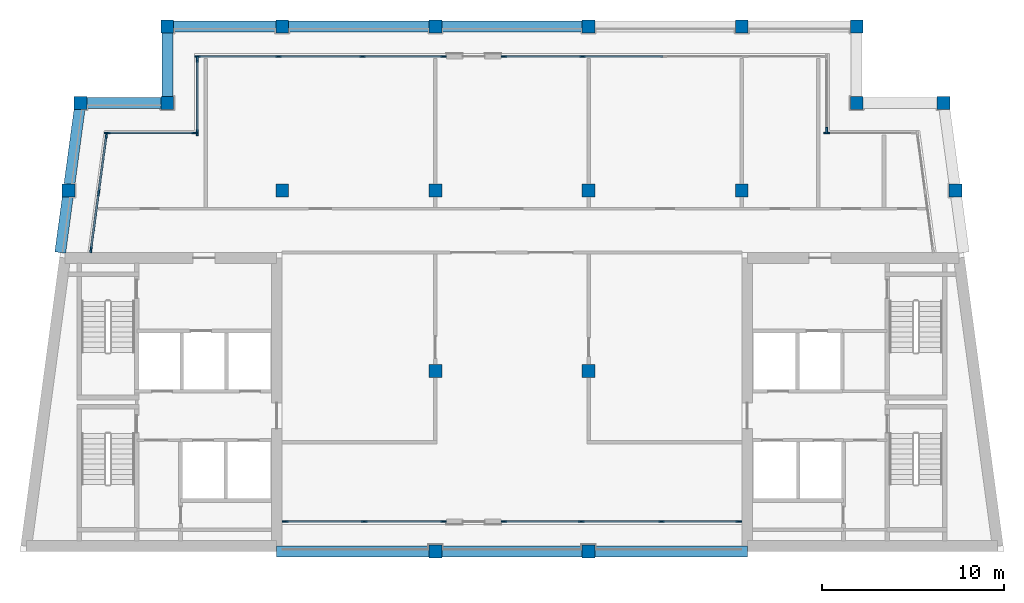
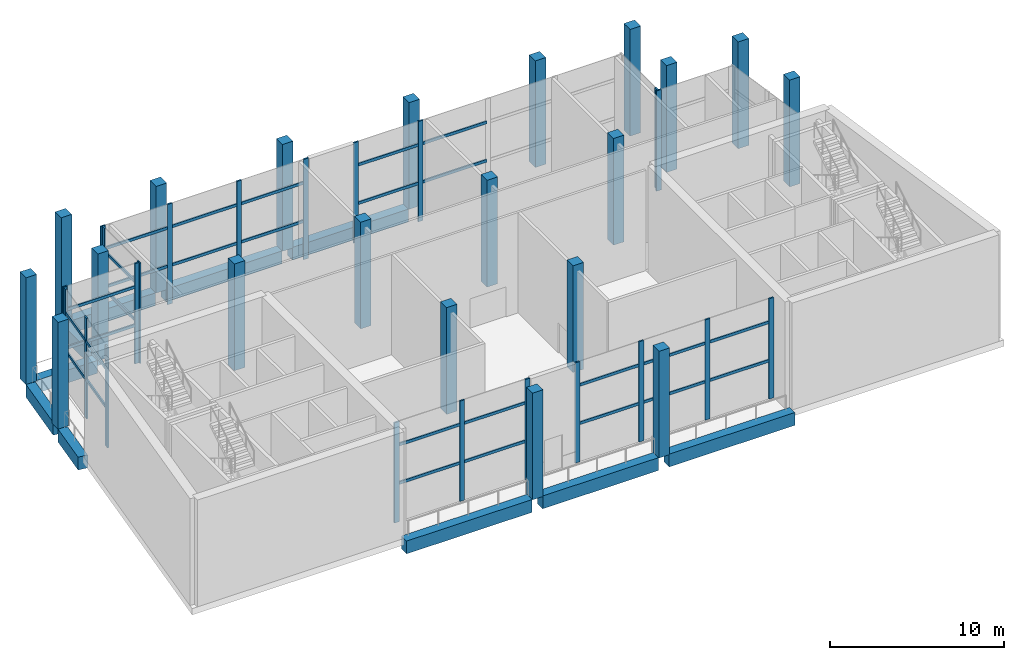
# One storey, part 1 of 9: 50 members, 20 columns, 10 beams, 9 elements without a shape of their own.
"""IFC4 building model written with IfcOpenShell, lengths in metres."""

from ifc_helpers import new_model, si_unit, direction, frame, origin, origin_2d, place, context, subcontext, project, spatial, rectangle, extrude, material, material_profile, profile_set, type_object, element, aggregate, save


model = new_model("IFC4")

# Units and contexts
model_context = context("Model", 3, precision=1e-05, world=origin(), true_north=direction((0.0, 1.0)))
body_context = subcontext(model_context, "Body", "Model", "MODEL_VIEW")
ifc_project = project(units=[si_unit("LENGTHUNIT", "METRE"), si_unit("AREAUNIT", "SQUARE_METRE"), si_unit("VOLUMEUNIT", "CUBIC_METRE"), si_unit("PLANEANGLEUNIT", "RADIAN"), si_unit("MASSUNIT", "GRAM", prefix="KILO")], contexts=[model_context])

# Site, building, storey
site_placement = place(None, origin())
site = spatial("IfcSite", under=ifc_project, at=site_placement, CompositionType="ELEMENT")
building_placement = place(site_placement, origin())
building = spatial("IfcBuilding", under=site, at=building_placement, Name="Candeia Pilgrim Tower and Theatre", CompositionType="ELEMENT")
storey_placement = place(building_placement, frame((0.0, 0.0, 307.89990234375)))
storey = spatial("IfcBuildingStorey", under=building, at=storey_placement, Name="L75", CompositionType="ELEMENT", Elevation=307.89990234375)

# Columns
ifc_material_1 = material(Name="Concrete C40/50", Category="concrete")
ifc_material_profile_1 = material_profile(ifc_material_1, rectangle(XDim=0.699951171875, YDim=0.699951171875, at=origin_2d()))
ifc_profile_set_1 = profile_set([ifc_material_profile_1], Name="Concrete C40/50")
column_type = type_object("IfcColumnType", Name="RC 700x700 C40/50", PredefinedType="COLUMN", material=ifc_profile_set_1)
for number, where, z_axis, x_axis, name in (
    (1, (94.5, 140.60009765625, 0.0), (0.0, 0.0, 1.0), (1.0, 0.0, 0.0), "Column NNW"),
    (2, (132.300048828125, 140.60009765625, 0.0), (0.0, 0.0, 1.0), (1.0, 0.0, 0.0), "Column NNE"),
    (3, (89.734619140625, 140.60009765625, 0.0), (0.0, 0.0, 1.0), (1.0, 0.0, 0.0), "Column LNW"),
    (4, (137.0654296875, 140.60009765625, 0.0), (0.0, 0.0, 1.0), (1.0, 0.0, 0.0), "Column LNE"),
    (5, (109.199951171875, 116.0, 0.0), (0.0, 0.0, 1.0), (1.0, 0.0, 0.0), "Column C3"),
    (6, (117.60009765625, 116.0, 0.0), (0.0, 0.0, 1.0), (1.0, 0.0, 0.0), "Column C4"),
    (7, (109.199951171875, 125.89990234375, 0.0), (0.0, 0.0, 1.0), (1.0, 0.0, 0.0), "Column D3"),
    (8, (117.60009765625, 125.89990234375, 0.0), (0.0, 0.0, 1.0), (1.0, 0.0, 0.0), "Column D4"),
    (9, (100.800048828125, 135.800048828125, 0.0), (0.0, 0.0, 1.0), (1.0, 0.0, 0.0), "Column E2"),
    (10, (109.199951171875, 135.800048828125, 0.0), (0.0, 0.0, 1.0), (1.0, 0.0, 0.0), "Column E3"),
    (11, (117.60009765625, 135.800048828125, 0.0), (0.0, 0.0, 1.0), (1.0, 0.0, 0.0), "Column E4"),
    (12, (126.0, 135.800048828125, 0.0), (0.0, 0.0, 1.0), (1.0, 0.0, 0.0), "Column E5"),
    (13, (89.08837890625, 135.800048828125, 0.0), (0.0, 0.0, 1.0), (1.0, 0.0, 0.0), "Column EW"),
    (14, (137.71142578125, 135.800048828125, 0.0), (0.0, 0.0, 1.0), (1.0, 0.0, 0.0), "Column EE"),
    (15, (100.800048828125, 144.800048828125, 0.0), (0.0, 0.0, 1.0), (1.0, 0.0, 0.0), "Column F2"),
    (16, (109.199951171875, 144.800048828125, 0.0), (0.0, 0.0, 1.0), (1.0, 0.0, 0.0), "Column F3"),
    (17, (117.60009765625, 144.800048828125, 0.0), (0.0, 0.0, 1.0), (1.0, 0.0, 0.0), "Column F4"),
    (18, (126.0, 144.800048828125, 0.0), (0.0, 0.0, 1.0), (1.0, 0.0, 0.0), "Column F5"),
    (19, (94.5, 144.800048828125, 0.0), (0.0, 0.0, 1.0), (1.0, 0.0, 0.0), "Column FW"),
    (20, (132.300048828125, 144.800048828125, 0.0), (0.0, 0.0, 1.0), (1.0, 0.0, 0.0), "Column FE"),
):
    element("IfcColumn", number, at=place(storey_placement, frame(where, z_axis=z_axis, x_axis=x_axis)), inside=storey, type_object=column_type, Name=name, PredefinedType="COLUMN", context=body_context, shape_type="SweptSolid", body=[
        extrude(rectangle(XDim=0.699951171875, YDim=0.699951171875, at=origin_2d()), origin(), (0.0, 0.0, 1.0), 7.5),
    ])

# Curtain wall, members
ifc_material_2 = material(Name="Aluminium framed observation glazing", Category="aluminium")
curtain_wall_type = type_object("IfcCurtainWallType", Name="CW-C curtain wall", PredefinedType="NOTDEFINED", material=ifc_material_2)
curtain_wall_1_placement = place(storey_placement, origin())
curtain_wall_1 = element("IfcCurtainWall", 21, at=curtain_wall_1_placement, inside=storey, type_object=curtain_wall_type, Name="Curtain wall CW-C L75.000", PredefinedType="NOTDEFINED")
ifc_material_3 = material(Name="Anodised aluminium", Category="aluminium")
ifc_material_profile_2 = material_profile(ifc_material_3, rectangle(XDim=0.10009765625, YDim=0.320068359375, at=origin_2d()))
ifc_profile_set_2 = profile_set([ifc_material_profile_2], Name="Anodised aluminium")
member_type_1 = type_object("IfcMemberType", Name="CW-C mullion 100x320", PredefinedType="MULLION", material=ifc_profile_set_2)
member_1_placement = place(storey_placement, frame((91.156005859375, 138.79150390625, 0.0), z_axis=(0.0, 0.0, 1.0), x_axis=(0.991060661622, -0.133412012145, 0.0)))
member_1 = element("IfcMember", 22, at=member_1_placement, type_object=member_type_1, Name="CW-C mullion 1", PredefinedType="MULLION", context=body_context, shape_type="SweptSolid", body=[
    extrude(rectangle(XDim=0.10009765625, YDim=0.320068359375, at=origin_2d()), origin(), (0.0, 0.0, 1.0), 7.050048828125),
])
member_2_placement = place(storey_placement, frame((90.736572265625, 135.675048828125, 0.0), z_axis=(0.0, 0.0, 1.0), x_axis=(0.991060661622, -0.133412012145, 0.0)))
member_2 = element("IfcMember", 23, at=member_2_placement, type_object=member_type_1, Name="CW-C mullion 2", PredefinedType="MULLION", context=body_context, shape_type="SweptSolid", body=[
    extrude(rectangle(XDim=0.10009765625, YDim=0.320068359375, at=origin_2d()), origin(), (0.0, 0.0, 1.0), 7.050048828125),
])
member_3_placement = place(storey_placement, frame((90.31689453125, 132.55859375, 0.0), z_axis=(0.0, 0.0, 1.0), x_axis=(0.991060661622, -0.133412012145, 0.0)))
member_3 = element("IfcMember", 24, at=member_3_placement, type_object=member_type_1, Name="CW-C mullion 3", PredefinedType="MULLION", context=body_context, shape_type="SweptSolid", body=[
    extrude(rectangle(XDim=0.10009765625, YDim=0.320068359375, at=origin_2d()), origin(), (0.0, 0.0, 1.0), 7.050048828125),
])

curtain_wall_2_placement = place(storey_placement, origin())
curtain_wall_2 = element("IfcCurtainWall", 25, at=curtain_wall_2_placement, inside=storey, type_object=curtain_wall_type, Name="Curtain wall CW-C L75.100", PredefinedType="NOTDEFINED")
member_4_placement = place(storey_placement, frame((100.9599609375, 117.64990234375, 0.0), z_axis=(0.0, 0.0, 1.0), x_axis=(0.0, 1.0, 0.0)))
member_4 = element("IfcMember", 26, at=member_4_placement, type_object=member_type_1, Name="CW-C mullion 1", PredefinedType="MULLION", context=body_context, shape_type="SweptSolid", body=[
    extrude(rectangle(XDim=0.10009765625, YDim=0.320068359375, at=origin_2d()), origin(), (0.0, 0.0, 1.0), 7.050048828125),
])
member_5_placement = place(storey_placement, frame((105.300048828125, 117.64990234375, 0.0), z_axis=(0.0, 0.0, 1.0), x_axis=(0.0, 1.0, 0.0)))
member_5 = element("IfcMember", 27, at=member_5_placement, type_object=member_type_1, Name="CW-C mullion 2", PredefinedType="MULLION", context=body_context, shape_type="SweptSolid", body=[
    extrude(rectangle(XDim=0.10009765625, YDim=0.320068359375, at=origin_2d()), origin(), (0.0, 0.0, 1.0), 7.050048828125),
])
member_6_placement = place(storey_placement, frame((109.639892578125, 117.64990234375, 0.0), z_axis=(0.0, 0.0, 1.0), x_axis=(0.0, 1.0, 0.0)))
member_6 = element("IfcMember", 28, at=member_6_placement, type_object=member_type_1, Name="CW-C mullion 3", PredefinedType="MULLION", context=body_context, shape_type="SweptSolid", body=[
    extrude(rectangle(XDim=0.10009765625, YDim=0.320068359375, at=origin_2d()), origin(), (0.0, 0.0, 1.0), 7.050048828125),
])

curtain_wall_3_placement = place(storey_placement, origin())
curtain_wall_3 = element("IfcCurtainWall", 29, at=curtain_wall_3_placement, inside=storey, type_object=curtain_wall_type, Name="Curtain wall CW-C L75.102", PredefinedType="NOTDEFINED")
member_7_placement = place(storey_placement, frame((112.9599609375, 117.64990234375, 0.0), z_axis=(0.0, 0.0, 1.0), x_axis=(0.0, 1.0, 0.0)))
member_7 = element("IfcMember", 30, at=member_7_placement, type_object=member_type_1, Name="CW-C mullion 1", PredefinedType="MULLION", context=body_context, shape_type="SweptSolid", body=[
    extrude(rectangle(XDim=0.10009765625, YDim=0.320068359375, at=origin_2d()), origin(), (0.0, 0.0, 1.0), 7.050048828125),
])
member_8_placement = place(storey_placement, frame((117.199951171875, 117.64990234375, 0.0), z_axis=(0.0, 0.0, 1.0), x_axis=(0.0, 1.0, 0.0)))
member_8 = element("IfcMember", 31, at=member_8_placement, type_object=member_type_1, Name="CW-C mullion 2", PredefinedType="MULLION", context=body_context, shape_type="SweptSolid", body=[
    extrude(rectangle(XDim=0.10009765625, YDim=0.320068359375, at=origin_2d()), origin(), (0.0, 0.0, 1.0), 7.050048828125),
])
member_9_placement = place(storey_placement, frame((121.60009765625, 117.64990234375, 0.0), z_axis=(0.0, 0.0, 1.0), x_axis=(0.0, 1.0, 0.0)))
member_9 = element("IfcMember", 32, at=member_9_placement, type_object=member_type_1, Name="CW-C mullion 3", PredefinedType="MULLION", context=body_context, shape_type="SweptSolid", body=[
    extrude(rectangle(XDim=0.10009765625, YDim=0.320068359375, at=origin_2d()), origin(), (0.0, 0.0, 1.0), 7.050048828125),
])
member_10_placement = place(storey_placement, frame((125.840087890625, 117.64990234375, 0.0), z_axis=(0.0, 0.0, 1.0), x_axis=(0.0, 1.0, 0.0)))
member_10 = element("IfcMember", 33, at=member_10_placement, type_object=member_type_1, Name="CW-C mullion 4", PredefinedType="MULLION", context=body_context, shape_type="SweptSolid", body=[
    extrude(rectangle(XDim=0.10009765625, YDim=0.320068359375, at=origin_2d()), origin(), (0.0, 0.0, 1.0), 7.050048828125),
])

# Curtain wall, member
curtain_wall_4_placement = place(storey_placement, origin())
curtain_wall_4 = element("IfcCurtainWall", 34, at=curtain_wall_4_placement, inside=storey, type_object=curtain_wall_type, Name="Curtain wall CW-C L75.300", PredefinedType="NOTDEFINED")
member_11_placement = place(storey_placement, frame((130.659912109375, 138.949951171875, 0.0), z_axis=(0.0, 0.0, 1.0), x_axis=(0.0, -1.0, 0.0)))
member_11 = element("IfcMember", 35, at=member_11_placement, type_object=member_type_1, Name="CW-C mullion 2", PredefinedType="MULLION", context=body_context, shape_type="SweptSolid", body=[
    extrude(rectangle(XDim=0.10009765625, YDim=0.320068359375, at=origin_2d()), origin(), (0.0, 0.0, 1.0), 7.050048828125),
])
aggregate(curtain_wall_4, [member_11])

curtain_wall_5_placement = place(storey_placement, origin())
curtain_wall_5 = element("IfcCurtainWall", 36, at=curtain_wall_5_placement, inside=storey, type_object=curtain_wall_type, Name="Curtain wall CW-C L75.400", PredefinedType="NOTDEFINED")
member_12_placement = place(storey_placement, frame((130.64990234375, 139.110107421875, 0.0), z_axis=(0.0, 0.0, 1.0), x_axis=(-1.0, 0.0, 0.0)))
member_12 = element("IfcMember", 37, at=member_12_placement, type_object=member_type_1, Name="CW-C mullion 1", PredefinedType="MULLION", context=body_context, shape_type="SweptSolid", body=[
    extrude(rectangle(XDim=0.10009765625, YDim=0.320068359375, at=origin_2d()), origin(), (0.0, 0.0, 1.0), 7.050048828125),
])
aggregate(curtain_wall_5, [member_12])

# Curtain wall, members
curtain_wall_6_placement = place(storey_placement, origin())
curtain_wall_6 = element("IfcCurtainWall", 38, at=curtain_wall_6_placement, inside=storey, type_object=curtain_wall_type, Name="Curtain wall CW-C L75.500", PredefinedType="NOTDEFINED")
member_13_placement = place(storey_placement, frame((117.262451171875, 143.14990234375, 0.0), z_axis=(0.0, 0.0, 1.0), x_axis=(0.0, -1.0, 0.0)))
member_13 = element("IfcMember", 39, at=member_13_placement, type_object=member_type_1, Name="CW-C mullion 4", PredefinedType="MULLION", context=body_context, shape_type="SweptSolid", body=[
    extrude(rectangle(XDim=0.10009765625, YDim=0.320068359375, at=origin_2d()), origin(), (0.0, 0.0, 1.0), 7.050048828125),
])
member_14_placement = place(storey_placement, frame((112.9599609375, 143.14990234375, 0.0), z_axis=(0.0, 0.0, 1.0), x_axis=(0.0, -1.0, 0.0)))
member_14 = element("IfcMember", 40, at=member_14_placement, type_object=member_type_1, Name="CW-C mullion 5", PredefinedType="MULLION", context=body_context, shape_type="SweptSolid", body=[
    extrude(rectangle(XDim=0.10009765625, YDim=0.320068359375, at=origin_2d()), origin(), (0.0, 0.0, 1.0), 7.050048828125),
])

curtain_wall_7_placement = place(storey_placement, origin())
curtain_wall_7 = element("IfcCurtainWall", 41, at=curtain_wall_7_placement, inside=storey, type_object=curtain_wall_type, Name="Curtain wall CW-C L75.502", PredefinedType="NOTDEFINED")
member_15_placement = place(storey_placement, frame((109.639892578125, 143.14990234375, 0.0), z_axis=(0.0, 0.0, 1.0), x_axis=(0.0, -1.0, 0.0)))
member_15 = element("IfcMember", 42, at=member_15_placement, type_object=member_type_1, Name="CW-C mullion 1", PredefinedType="MULLION", context=body_context, shape_type="SweptSolid", body=[
    extrude(rectangle(XDim=0.10009765625, YDim=0.320068359375, at=origin_2d()), origin(), (0.0, 0.0, 1.0), 7.050048828125),
])
member_16_placement = place(storey_placement, frame((105.199951171875, 143.14990234375, 0.0), z_axis=(0.0, 0.0, 1.0), x_axis=(0.0, -1.0, 0.0)))
member_16 = element("IfcMember", 43, at=member_16_placement, type_object=member_type_1, Name="CW-C mullion 2", PredefinedType="MULLION", context=body_context, shape_type="SweptSolid", body=[
    extrude(rectangle(XDim=0.10009765625, YDim=0.320068359375, at=origin_2d()), origin(), (0.0, 0.0, 1.0), 7.050048828125),
])
member_17_placement = place(storey_placement, frame((100.60009765625, 143.14990234375, 0.0), z_axis=(0.0, 0.0, 1.0), x_axis=(0.0, -1.0, 0.0)))
member_17 = element("IfcMember", 44, at=member_17_placement, type_object=member_type_1, Name="CW-C mullion 3", PredefinedType="MULLION", context=body_context, shape_type="SweptSolid", body=[
    extrude(rectangle(XDim=0.10009765625, YDim=0.320068359375, at=origin_2d()), origin(), (0.0, 0.0, 1.0), 7.050048828125),
])
member_18_placement = place(storey_placement, frame((96.159912109375, 143.14990234375, 0.0), z_axis=(0.0, 0.0, 1.0), x_axis=(0.0, -1.0, 0.0)))
member_18 = element("IfcMember", 45, at=member_18_placement, type_object=member_type_1, Name="CW-C mullion 4", PredefinedType="MULLION", context=body_context, shape_type="SweptSolid", body=[
    extrude(rectangle(XDim=0.10009765625, YDim=0.320068359375, at=origin_2d()), origin(), (0.0, 0.0, 1.0), 7.050048828125),
])

curtain_wall_8_placement = place(storey_placement, origin())
curtain_wall_8 = element("IfcCurtainWall", 46, at=curtain_wall_8_placement, inside=storey, type_object=curtain_wall_type, Name="Curtain wall CW-C L75.600", PredefinedType="NOTDEFINED")
member_19_placement = place(storey_placement, frame((96.14990234375, 142.989990234375, 0.0), z_axis=(0.0, 0.0, 1.0), x_axis=(1.0, 0.0, 0.0)))
member_19 = element("IfcMember", 47, at=member_19_placement, type_object=member_type_1, Name="CW-C mullion 1", PredefinedType="MULLION", context=body_context, shape_type="SweptSolid", body=[
    extrude(rectangle(XDim=0.10009765625, YDim=0.320068359375, at=origin_2d()), origin(), (0.0, 0.0, 1.0), 7.050048828125),
])
member_20_placement = place(storey_placement, frame((96.14990234375, 138.9599609375, 0.0), z_axis=(0.0, 0.0, 1.0), x_axis=(1.0, 0.0, 0.0)))
member_20 = element("IfcMember", 48, at=member_20_placement, type_object=member_type_1, Name="CW-C mullion 2", PredefinedType="MULLION", context=body_context, shape_type="SweptSolid", body=[
    extrude(rectangle(XDim=0.10009765625, YDim=0.320068359375, at=origin_2d()), origin(), (0.0, 0.0, 1.0), 7.050048828125),
])

curtain_wall_9_placement = place(storey_placement, origin())
curtain_wall_9 = element("IfcCurtainWall", 49, at=curtain_wall_9_placement, inside=storey, type_object=curtain_wall_type, Name="Curtain wall CW-C L75.700", PredefinedType="NOTDEFINED")
member_21_placement = place(storey_placement, frame((95.989990234375, 138.949951171875, 0.0), z_axis=(0.0, 0.0, 1.0), x_axis=(0.0, -1.0, 0.0)))
member_21 = element("IfcMember", 50, at=member_21_placement, type_object=member_type_1, Name="CW-C mullion 1", PredefinedType="MULLION", context=body_context, shape_type="SweptSolid", body=[
    extrude(rectangle(XDim=0.10009765625, YDim=0.320068359375, at=origin_2d()), origin(), (0.0, 0.0, 1.0), 7.050048828125),
])
member_22_placement = place(storey_placement, frame((91.206298828125, 138.949951171875, 0.0), z_axis=(0.0, 0.0, 1.0), x_axis=(0.0, -1.0, 0.0)))
member_22 = element("IfcMember", 51, at=member_22_placement, type_object=member_type_1, Name="CW-C mullion 2", PredefinedType="MULLION", context=body_context, shape_type="SweptSolid", body=[
    extrude(rectangle(XDim=0.10009765625, YDim=0.320068359375, at=origin_2d()), origin(), (0.0, 0.0, 1.0), 7.050048828125),
])

# Member
ifc_material_profile_3 = material_profile(ifc_material_3, rectangle(XDim=0.10009765625, YDim=0.199951171875, at=origin_2d()))
ifc_profile_set_3 = profile_set([ifc_material_profile_3], Name="Anodised aluminium")
member_type_2 = type_object("IfcMemberType", Name="CW-C transom 100x200", PredefinedType="USERDEFINED", material=ifc_profile_set_3)
member_23_placement = place(storey_placement, frame((91.1494140625, 138.741943359375, 2.7001953125), z_axis=(-0.133434731878, -0.991057602932, 0.0), x_axis=(0.991057602932, -0.133434731878, 0.0)))
member_23 = element("IfcMember", 52, at=member_23_placement, type_object=member_type_2, Name="CW-C transom 1.1", ObjectType="TRANSOM", PredefinedType="USERDEFINED", context=body_context, shape_type="SweptSolid", body=[
    extrude(rectangle(XDim=0.10009765625, YDim=0.199951171875, at=origin_2d()), origin(), (0.0, 0.0, 1.0), 3.044677734375),
])

member_24_placement = place(storey_placement, frame((91.1494140625, 138.741943359375, 5.400146484375), z_axis=(-0.133434731878, -0.991057602932, 0.0), x_axis=(0.991057602932, -0.133434731878, 0.0)))
member_24 = element("IfcMember", 53, at=member_24_placement, type_object=member_type_2, Name="CW-C transom 1.2", ObjectType="TRANSOM", PredefinedType="USERDEFINED", context=body_context, shape_type="SweptSolid", body=[
    extrude(rectangle(XDim=0.10009765625, YDim=0.199951171875, at=origin_2d()), origin(), (0.0, 0.0, 1.0), 3.044677734375),
])

member_25_placement = place(storey_placement, frame((90.729736328125, 135.62548828125, 2.7001953125), z_axis=(-0.133355969226, -0.991068204248, 0.0), x_axis=(0.991068204248, -0.133355969226, 0.0)))
member_25 = element("IfcMember", 54, at=member_25_placement, type_object=member_type_2, Name="CW-C transom 2.1", ObjectType="TRANSOM", PredefinedType="USERDEFINED", context=body_context, shape_type="SweptSolid", body=[
    extrude(rectangle(XDim=0.10009765625, YDim=0.199951171875, at=origin_2d()), origin(), (0.0, 0.0, 1.0), 3.04443359375),
])

member_26_placement = place(storey_placement, frame((90.729736328125, 135.62548828125, 5.400146484375), z_axis=(-0.133355969226, -0.991068204248, 0.0), x_axis=(0.991068204248, -0.133355969226, 0.0)))
member_26 = element("IfcMember", 55, at=member_26_placement, type_object=member_type_2, Name="CW-C transom 2.2", ObjectType="TRANSOM", PredefinedType="USERDEFINED", context=body_context, shape_type="SweptSolid", body=[
    extrude(rectangle(XDim=0.10009765625, YDim=0.199951171875, at=origin_2d()), origin(), (0.0, 0.0, 1.0), 3.04443359375),
])

aggregate(curtain_wall_1, [member_1, member_2, member_3, member_23, member_24, member_25, member_26])

member_27_placement = place(storey_placement, frame((101.010009765625, 117.64990234375, 2.7001953125), z_axis=(1.0, 0.0, 0.0), x_axis=(0.0, 1.0, 0.0)))
member_27 = element("IfcMember", 56, at=member_27_placement, type_object=member_type_2, Name="CW-C transom 1.1", ObjectType="TRANSOM", PredefinedType="USERDEFINED", context=body_context, shape_type="SweptSolid", body=[
    extrude(rectangle(XDim=0.10009765625, YDim=0.199951171875, at=origin_2d()), origin(), (0.0, 0.0, 1.0), 4.239990234375),
])

member_28_placement = place(storey_placement, frame((101.010009765625, 117.64990234375, 5.400146484375), z_axis=(1.0, 0.0, 0.0), x_axis=(0.0, 1.0, 0.0)))
member_28 = element("IfcMember", 57, at=member_28_placement, type_object=member_type_2, Name="CW-C transom 1.2", ObjectType="TRANSOM", PredefinedType="USERDEFINED", context=body_context, shape_type="SweptSolid", body=[
    extrude(rectangle(XDim=0.10009765625, YDim=0.199951171875, at=origin_2d()), origin(), (0.0, 0.0, 1.0), 4.239990234375),
])

member_29_placement = place(storey_placement, frame((105.35009765625, 117.64990234375, 2.7001953125), z_axis=(1.0, 0.0, 0.0), x_axis=(0.0, 1.0, 0.0)))
member_29 = element("IfcMember", 58, at=member_29_placement, type_object=member_type_2, Name="CW-C transom 2.1", ObjectType="TRANSOM", PredefinedType="USERDEFINED", context=body_context, shape_type="SweptSolid", body=[
    extrude(rectangle(XDim=0.10009765625, YDim=0.199951171875, at=origin_2d()), origin(), (0.0, 0.0, 1.0), 4.239990234375),
])

member_30_placement = place(storey_placement, frame((105.35009765625, 117.64990234375, 5.400146484375), z_axis=(1.0, 0.0, 0.0), x_axis=(0.0, 1.0, 0.0)))
member_30 = element("IfcMember", 59, at=member_30_placement, type_object=member_type_2, Name="CW-C transom 2.2", ObjectType="TRANSOM", PredefinedType="USERDEFINED", context=body_context, shape_type="SweptSolid", body=[
    extrude(rectangle(XDim=0.10009765625, YDim=0.199951171875, at=origin_2d()), origin(), (0.0, 0.0, 1.0), 4.239990234375),
])

aggregate(curtain_wall_2, [member_4, member_5, member_6, member_27, member_28, member_29, member_30])

member_31_placement = place(storey_placement, frame((113.010009765625, 117.64990234375, 2.7001953125), z_axis=(1.0, 0.0, 0.0), x_axis=(0.0, 1.0, 0.0)))
member_31 = element("IfcMember", 60, at=member_31_placement, type_object=member_type_2, Name="CW-C transom 1.1", ObjectType="TRANSOM", PredefinedType="USERDEFINED", context=body_context, shape_type="SweptSolid", body=[
    extrude(rectangle(XDim=0.10009765625, YDim=0.199951171875, at=origin_2d()), origin(), (0.0, 0.0, 1.0), 4.139892578125),
])

member_32_placement = place(storey_placement, frame((113.010009765625, 117.64990234375, 5.400146484375), z_axis=(1.0, 0.0, 0.0), x_axis=(0.0, 1.0, 0.0)))
member_32 = element("IfcMember", 61, at=member_32_placement, type_object=member_type_2, Name="CW-C transom 1.2", ObjectType="TRANSOM", PredefinedType="USERDEFINED", context=body_context, shape_type="SweptSolid", body=[
    extrude(rectangle(XDim=0.10009765625, YDim=0.199951171875, at=origin_2d()), origin(), (0.0, 0.0, 1.0), 4.139892578125),
])

member_33_placement = place(storey_placement, frame((117.25, 117.64990234375, 2.7001953125), z_axis=(1.0, 0.0, 0.0), x_axis=(0.0, 1.0, 0.0)))
member_33 = element("IfcMember", 62, at=member_33_placement, type_object=member_type_2, Name="CW-C transom 2.1", ObjectType="TRANSOM", PredefinedType="USERDEFINED", context=body_context, shape_type="SweptSolid", body=[
    extrude(rectangle(XDim=0.10009765625, YDim=0.199951171875, at=origin_2d()), origin(), (0.0, 0.0, 1.0), 4.300048828125),
])

member_34_placement = place(storey_placement, frame((117.25, 117.64990234375, 5.400146484375), z_axis=(1.0, 0.0, 0.0), x_axis=(0.0, 1.0, 0.0)))
member_34 = element("IfcMember", 63, at=member_34_placement, type_object=member_type_2, Name="CW-C transom 2.2", ObjectType="TRANSOM", PredefinedType="USERDEFINED", context=body_context, shape_type="SweptSolid", body=[
    extrude(rectangle(XDim=0.10009765625, YDim=0.199951171875, at=origin_2d()), origin(), (0.0, 0.0, 1.0), 4.300048828125),
])

member_35_placement = place(storey_placement, frame((121.64990234375, 117.64990234375, 2.7001953125), z_axis=(1.0, 0.0, 0.0), x_axis=(0.0, 1.0, 0.0)))
member_35 = element("IfcMember", 64, at=member_35_placement, type_object=member_type_2, Name="CW-C transom 3.1", ObjectType="TRANSOM", PredefinedType="USERDEFINED", context=body_context, shape_type="SweptSolid", body=[
    extrude(rectangle(XDim=0.10009765625, YDim=0.199951171875, at=origin_2d()), origin(), (0.0, 0.0, 1.0), 4.14013671875),
])

member_36_placement = place(storey_placement, frame((121.64990234375, 117.64990234375, 5.400146484375), z_axis=(1.0, 0.0, 0.0), x_axis=(0.0, 1.0, 0.0)))
member_36 = element("IfcMember", 65, at=member_36_placement, type_object=member_type_2, Name="CW-C transom 3.2", ObjectType="TRANSOM", PredefinedType="USERDEFINED", context=body_context, shape_type="SweptSolid", body=[
    extrude(rectangle(XDim=0.10009765625, YDim=0.199951171875, at=origin_2d()), origin(), (0.0, 0.0, 1.0), 4.14013671875),
])

aggregate(curtain_wall_3, [member_7, member_8, member_9, member_10, member_31, member_32, member_33, member_34, member_35, member_36])

member_37_placement = place(storey_placement, frame((121.675048828125, 143.14990234375, 2.7001953125), z_axis=(-1.0, 0.0, 0.0), x_axis=(0.0, -1.0, 0.0)))
member_37 = element("IfcMember", 66, at=member_37_placement, type_object=member_type_2, Name="CW-C transom 3.1", ObjectType="TRANSOM", PredefinedType="USERDEFINED", context=body_context, shape_type="SweptSolid", body=[
    extrude(rectangle(XDim=0.10009765625, YDim=0.199951171875, at=origin_2d()), origin(), (0.0, 0.0, 1.0), 4.362548828125),
])

member_38_placement = place(storey_placement, frame((121.675048828125, 143.14990234375, 5.400146484375), z_axis=(-1.0, 0.0, 0.0), x_axis=(0.0, -1.0, 0.0)))
member_38 = element("IfcMember", 67, at=member_38_placement, type_object=member_type_2, Name="CW-C transom 3.2", ObjectType="TRANSOM", PredefinedType="USERDEFINED", context=body_context, shape_type="SweptSolid", body=[
    extrude(rectangle(XDim=0.10009765625, YDim=0.199951171875, at=origin_2d()), origin(), (0.0, 0.0, 1.0), 4.362548828125),
])

member_39_placement = place(storey_placement, frame((117.21240234375, 143.14990234375, 2.7001953125), z_axis=(-1.0, 0.0, 0.0), x_axis=(0.0, -1.0, 0.0)))
member_39 = element("IfcMember", 68, at=member_39_placement, type_object=member_type_2, Name="CW-C transom 4.1", ObjectType="TRANSOM", PredefinedType="USERDEFINED", context=body_context, shape_type="SweptSolid", body=[
    extrude(rectangle(XDim=0.10009765625, YDim=0.199951171875, at=origin_2d()), origin(), (0.0, 0.0, 1.0), 4.202392578125),
])

member_40_placement = place(storey_placement, frame((117.21240234375, 143.14990234375, 5.400146484375), z_axis=(-1.0, 0.0, 0.0), x_axis=(0.0, -1.0, 0.0)))
member_40 = element("IfcMember", 69, at=member_40_placement, type_object=member_type_2, Name="CW-C transom 4.2", ObjectType="TRANSOM", PredefinedType="USERDEFINED", context=body_context, shape_type="SweptSolid", body=[
    extrude(rectangle(XDim=0.10009765625, YDim=0.199951171875, at=origin_2d()), origin(), (0.0, 0.0, 1.0), 4.202392578125),
])

aggregate(curtain_wall_6, [member_13, member_14, member_37, member_38, member_39, member_40])

member_41_placement = place(storey_placement, frame((109.590087890625, 143.14990234375, 2.7001953125), z_axis=(-1.0, 0.0, 0.0), x_axis=(0.0, -1.0, 0.0)))
member_41 = element("IfcMember", 70, at=member_41_placement, type_object=member_type_2, Name="CW-C transom 1.1", ObjectType="TRANSOM", PredefinedType="USERDEFINED", context=body_context, shape_type="SweptSolid", body=[
    extrude(rectangle(XDim=0.10009765625, YDim=0.199951171875, at=origin_2d()), origin(), (0.0, 0.0, 1.0), 4.340087890625),
])

member_42_placement = place(storey_placement, frame((109.590087890625, 143.14990234375, 5.400146484375), z_axis=(-1.0, 0.0, 0.0), x_axis=(0.0, -1.0, 0.0)))
member_42 = element("IfcMember", 71, at=member_42_placement, type_object=member_type_2, Name="CW-C transom 1.2", ObjectType="TRANSOM", PredefinedType="USERDEFINED", context=body_context, shape_type="SweptSolid", body=[
    extrude(rectangle(XDim=0.10009765625, YDim=0.199951171875, at=origin_2d()), origin(), (0.0, 0.0, 1.0), 4.340087890625),
])

member_43_placement = place(storey_placement, frame((105.14990234375, 143.14990234375, 2.7001953125), z_axis=(-1.0, 0.0, 0.0), x_axis=(0.0, -1.0, 0.0)))
member_43 = element("IfcMember", 72, at=member_43_placement, type_object=member_type_2, Name="CW-C transom 2.1", ObjectType="TRANSOM", PredefinedType="USERDEFINED", context=body_context, shape_type="SweptSolid", body=[
    extrude(rectangle(XDim=0.10009765625, YDim=0.199951171875, at=origin_2d()), origin(), (0.0, 0.0, 1.0), 4.5),
])

member_44_placement = place(storey_placement, frame((105.14990234375, 143.14990234375, 5.400146484375), z_axis=(-1.0, 0.0, 0.0), x_axis=(0.0, -1.0, 0.0)))
member_44 = element("IfcMember", 73, at=member_44_placement, type_object=member_type_2, Name="CW-C transom 2.2", ObjectType="TRANSOM", PredefinedType="USERDEFINED", context=body_context, shape_type="SweptSolid", body=[
    extrude(rectangle(XDim=0.10009765625, YDim=0.199951171875, at=origin_2d()), origin(), (0.0, 0.0, 1.0), 4.5),
])

member_45_placement = place(storey_placement, frame((100.550048828125, 143.14990234375, 2.7001953125), z_axis=(-1.0, 0.0, 0.0), x_axis=(0.0, -1.0, 0.0)))
member_45 = element("IfcMember", 74, at=member_45_placement, type_object=member_type_2, Name="CW-C transom 3.1", ObjectType="TRANSOM", PredefinedType="USERDEFINED", context=body_context, shape_type="SweptSolid", body=[
    extrude(rectangle(XDim=0.10009765625, YDim=0.199951171875, at=origin_2d()), origin(), (0.0, 0.0, 1.0), 4.340087890625),
])

member_46_placement = place(storey_placement, frame((100.550048828125, 143.14990234375, 5.400146484375), z_axis=(-1.0, 0.0, 0.0), x_axis=(0.0, -1.0, 0.0)))
member_46 = element("IfcMember", 75, at=member_46_placement, type_object=member_type_2, Name="CW-C transom 3.2", ObjectType="TRANSOM", PredefinedType="USERDEFINED", context=body_context, shape_type="SweptSolid", body=[
    extrude(rectangle(XDim=0.10009765625, YDim=0.199951171875, at=origin_2d()), origin(), (0.0, 0.0, 1.0), 4.340087890625),
])

aggregate(curtain_wall_7, [member_15, member_16, member_17, member_18, member_41, member_42, member_43, member_44, member_45, member_46])

member_47_placement = place(storey_placement, frame((96.14990234375, 142.93994140625, 2.7001953125), z_axis=(0.0, -1.0, 0.0), x_axis=(1.0, 0.0, 0.0)))
member_47 = element("IfcMember", 76, at=member_47_placement, type_object=member_type_2, Name="CW-C transom 1.1", ObjectType="TRANSOM", PredefinedType="USERDEFINED", context=body_context, shape_type="SweptSolid", body=[
    extrude(rectangle(XDim=0.10009765625, YDim=0.199951171875, at=origin_2d()), origin(), (0.0, 0.0, 1.0), 3.929931640625),
])

member_48_placement = place(storey_placement, frame((96.14990234375, 142.93994140625, 5.400146484375), z_axis=(0.0, -1.0, 0.0), x_axis=(1.0, 0.0, 0.0)))
member_48 = element("IfcMember", 77, at=member_48_placement, type_object=member_type_2, Name="CW-C transom 1.2", ObjectType="TRANSOM", PredefinedType="USERDEFINED", context=body_context, shape_type="SweptSolid", body=[
    extrude(rectangle(XDim=0.10009765625, YDim=0.199951171875, at=origin_2d()), origin(), (0.0, 0.0, 1.0), 3.929931640625),
])

aggregate(curtain_wall_8, [member_19, member_20, member_47, member_48])

member_49_placement = place(storey_placement, frame((95.93994140625, 138.949951171875, 2.7001953125), z_axis=(-1.0, 0.0, 0.0), x_axis=(0.0, -1.0, 0.0)))
member_49 = element("IfcMember", 78, at=member_49_placement, type_object=member_type_2, Name="CW-C transom 1.1", ObjectType="TRANSOM", PredefinedType="USERDEFINED", context=body_context, shape_type="SweptSolid", body=[
    extrude(rectangle(XDim=0.10009765625, YDim=0.199951171875, at=origin_2d()), origin(), (0.0, 0.0, 1.0), 4.683837890625),
])

member_50_placement = place(storey_placement, frame((95.93994140625, 138.949951171875, 5.400146484375), z_axis=(-1.0, 0.0, 0.0), x_axis=(0.0, -1.0, 0.0)))
member_50 = element("IfcMember", 79, at=member_50_placement, type_object=member_type_2, Name="CW-C transom 1.2", ObjectType="TRANSOM", PredefinedType="USERDEFINED", context=body_context, shape_type="SweptSolid", body=[
    extrude(rectangle(XDim=0.10009765625, YDim=0.199951171875, at=origin_2d()), origin(), (0.0, 0.0, 1.0), 4.683837890625),
])

aggregate(curtain_wall_9, [member_21, member_22, member_49, member_50])

# Beams
ifc_material_profile_4 = material_profile(ifc_material_1, rectangle(XDim=0.60009765625, YDim=0.89990234375, at=origin_2d()))
ifc_profile_set_4 = profile_set([ifc_material_profile_4], Name="Concrete C40/50")
beam_type = type_object("IfcBeamType", Name="RC 600x900 C40/50", PredefinedType="BEAM", material=ifc_profile_set_4)
beam_1_placement = place(storey_placement, frame((90.084716796875, 140.60009765625, -0.449951171875), z_axis=(1.0, 0.0, 0.0), x_axis=(0.0, 1.0, 0.0)))
element("IfcBeam", 80, at=beam_1_placement, inside=storey, type_object=beam_type, Name="Spandrel beam L75-01", PredefinedType="BEAM", context=body_context, shape_type="SweptSolid", body=[
    extrude(rectangle(XDim=0.60009765625, YDim=0.89990234375, at=origin_2d()), origin(), (0.0, 0.0, 1.0), 4.065185546875),
])
beam_2_placement = place(storey_placement, frame((94.5, 140.949951171875, -0.449951171875), z_axis=(0.0, 1.0, 0.0), x_axis=(-1.0, 0.0, 0.0)))
element("IfcBeam", 81, at=beam_2_placement, inside=storey, type_object=beam_type, Name="Spandrel beam L75-02", PredefinedType="BEAM", context=body_context, shape_type="SweptSolid", body=[
    extrude(rectangle(XDim=0.60009765625, YDim=0.89990234375, at=origin_2d()), origin(), (0.0, 0.0, 1.0), 3.5),
])
beam_3_placement = place(storey_placement, frame((94.85009765625, 144.800048828125, -0.449951171875), z_axis=(1.0, 0.0, 0.0), x_axis=(0.0, 1.0, 0.0)))
element("IfcBeam", 82, at=beam_3_placement, inside=storey, type_object=beam_type, Name="Spandrel beam L75-03", PredefinedType="BEAM", context=body_context, shape_type="SweptSolid", body=[
    extrude(rectangle(XDim=0.60009765625, YDim=0.89990234375, at=origin_2d()), origin(), (0.0, 0.0, 1.0), 5.599853515625),
])
beam_4_placement = place(storey_placement, frame((101.14990234375, 144.800048828125, -0.449951171875), z_axis=(1.0, 0.0, 0.0), x_axis=(0.0, 1.0, 0.0)))
element("IfcBeam", 83, at=beam_4_placement, inside=storey, type_object=beam_type, Name="Spandrel beam L75-04", PredefinedType="BEAM", context=body_context, shape_type="SweptSolid", body=[
    extrude(rectangle(XDim=0.60009765625, YDim=0.89990234375, at=origin_2d()), origin(), (0.0, 0.0, 1.0), 7.7001953125),
])
beam_5_placement = place(storey_placement, frame((109.550048828125, 144.800048828125, -0.449951171875), z_axis=(1.0, 0.0, 0.0), x_axis=(0.0, 1.0, 0.0)))
element("IfcBeam", 84, at=beam_5_placement, inside=storey, type_object=beam_type, Name="Spandrel beam L75-05", PredefinedType="BEAM", context=body_context, shape_type="SweptSolid", body=[
    extrude(rectangle(XDim=0.60009765625, YDim=0.89990234375, at=origin_2d()), origin(), (0.0, 0.0, 1.0), 7.699951171875),
])
beam_6_placement = place(storey_placement, frame((126.300048828125, 116.0, -0.449951171875), z_axis=(-1.0, 0.0, 0.0), x_axis=(0.0, -1.0, 0.0)))
element("IfcBeam", 85, at=beam_6_placement, inside=storey, type_object=beam_type, Name="Spandrel beam L75-12", PredefinedType="BEAM", context=body_context, shape_type="SweptSolid", body=[
    extrude(rectangle(XDim=0.60009765625, YDim=0.89990234375, at=origin_2d()), origin(), (0.0, 0.0, 1.0), 8.35009765625),
])
beam_7_placement = place(storey_placement, frame((117.25, 116.0, -0.449951171875), z_axis=(-1.0, 0.0, 0.0), x_axis=(0.0, -1.0, 0.0)))
element("IfcBeam", 86, at=beam_7_placement, inside=storey, type_object=beam_type, Name="Spandrel beam L75-13", PredefinedType="BEAM", context=body_context, shape_type="SweptSolid", body=[
    extrude(rectangle(XDim=0.60009765625, YDim=0.89990234375, at=origin_2d()), origin(), (0.0, 0.0, 1.0), 7.699951171875),
])
beam_8_placement = place(storey_placement, frame((108.85009765625, 116.0, -0.449951171875), z_axis=(-1.0, 0.0, 0.0), x_axis=(0.0, -1.0, 0.0)))
element("IfcBeam", 87, at=beam_8_placement, inside=storey, type_object=beam_type, Name="Spandrel beam L75-14", PredefinedType="BEAM", context=body_context, shape_type="SweptSolid", body=[
    extrude(rectangle(XDim=0.60009765625, YDim=0.89990234375, at=origin_2d()), origin(), (0.0, 0.0, 1.0), 8.35009765625),
])
beam_9_placement = place(storey_placement, frame((88.630859375, 132.39990234375, -0.449951171875), z_axis=(0.13335357346, 0.991068526614, 0.0), x_axis=(-0.991068526614, 0.13335357346, 0.0)))
element("IfcBeam", 88, at=beam_9_placement, inside=storey, type_object=beam_type, Name="Spandrel beam L75-15", PredefinedType="BEAM", context=body_context, shape_type="SweptSolid", body=[
    extrude(rectangle(XDim=0.60009765625, YDim=0.89990234375, at=origin_2d()), origin(), (0.0, 0.0, 1.0), 3.07763671875),
])
beam_10_placement = place(storey_placement, frame((89.135498046875, 136.14990234375, -0.449951171875), z_axis=(0.133427617361, 0.991058560795, 0.0), x_axis=(-0.991058560795, 0.133427617361, 0.0)))
element("IfcBeam", 89, at=beam_10_placement, inside=storey, type_object=beam_type, Name="Spandrel beam L75-16", PredefinedType="BEAM", context=body_context, shape_type="SweptSolid", body=[
    extrude(rectangle(XDim=0.60009765625, YDim=0.89990234375, at=origin_2d()), origin(), (0.0, 0.0, 1.0), 4.13720703125),
])

save(model, "model.ifc")
